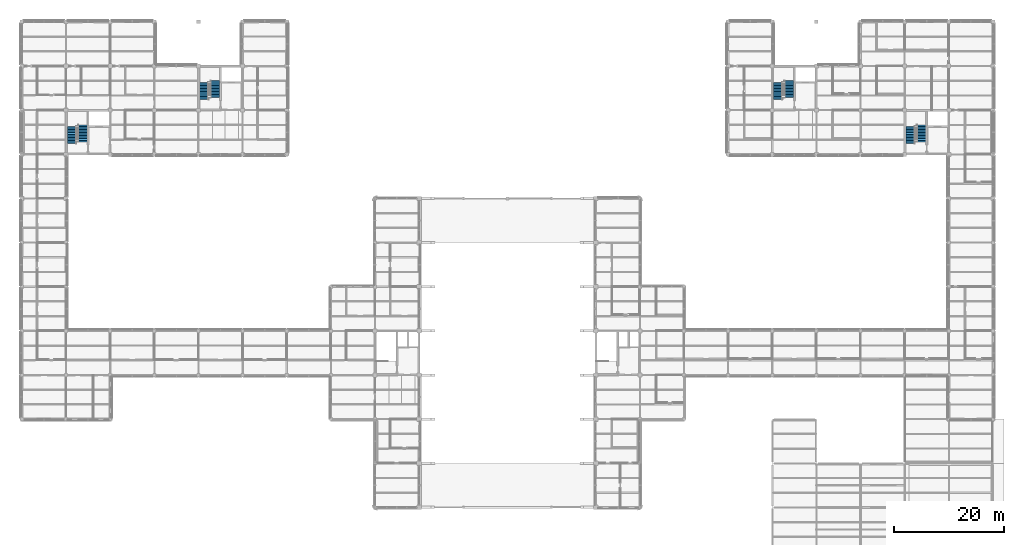
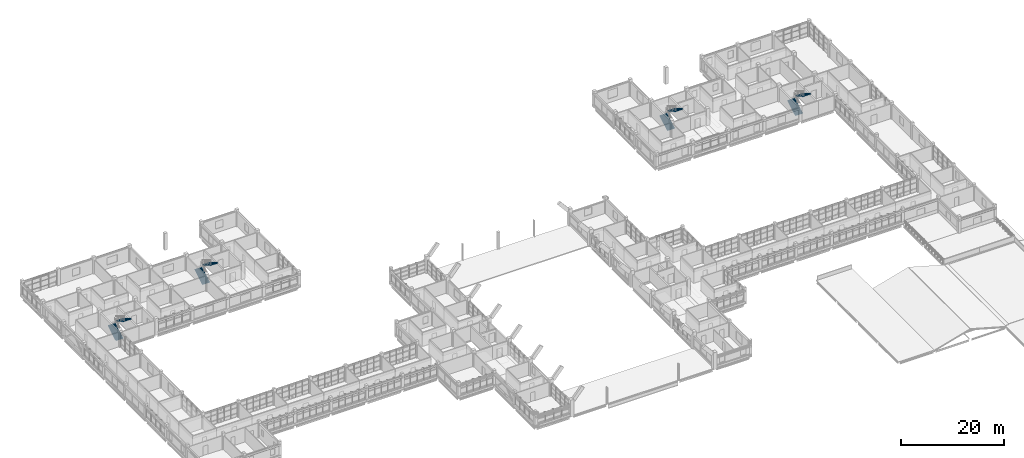
# One storey, part 76 of 92: 8 stair flights, 4 elements without a shape of their own.
"""IFC4 building model written with IfcOpenShell, lengths in metres."""

from ifc_helpers import new_model, si_unit, derived_unit, direction, frame, origin, place, context, subcontext, project, spatial, polyline, outline, extrude, material, type_object, element, aggregate, save


model = new_model("IFC4")

# Units and contexts
model_context = context("Model", 3, precision=1e-05, world=origin(), true_north=direction((0.0, 1.0)))
body_context = subcontext(model_context, "Body", "Model", "MODEL_VIEW")
ifc_project = project(units=[si_unit("LENGTHUNIT", "METRE"), si_unit("AREAUNIT", "SQUARE_METRE"), si_unit("VOLUMEUNIT", "CUBIC_METRE"), si_unit("PLANEANGLEUNIT", "RADIAN"), si_unit("MASSUNIT", "GRAM", prefix="KILO"), derived_unit("THERMALTRANSMITTANCEUNIT", [(si_unit("MASSUNIT", "GRAM", prefix="KILO"), 1), (si_unit("TIMEUNIT", "SECOND"), -3), (si_unit("THERMODYNAMICTEMPERATUREUNIT", "KELVIN"), -1)])], contexts=[model_context])

# Site, building, storey
site_placement = place(None, origin())
site = spatial("IfcSite", under=ifc_project, at=site_placement, CompositionType="ELEMENT")
building_placement = place(site_placement, origin())
building = spatial("IfcBuilding", under=site, at=building_placement, Name="Veyamyaing Civic Hall", CompositionType="ELEMENT")
storey_placement = place(building_placement, frame((0.0, 0.0, 17.820068359375)))
storey = spatial("IfcBuildingStorey", under=building, at=storey_placement, Name="L04", CompositionType="ELEMENT", Elevation=17.820068359375)

# Stair, stair flights
ifc_material = material(Name="Concrete C40/50", Category="concrete")
stair_type = type_object("IfcStairType", Name="ST-D", PredefinedType="HALF_TURN_STAIR", material=ifc_material)
stair_1_placement = place(storey_placement, origin())
stair_1 = element("IfcStair", 1, at=stair_1_placement, inside=storey, type_object=stair_type, Name="Protected exit stair ST-01 L04", PredefinedType="HALF_TURN_STAIR")
stair_flight_type = type_object("IfcStairFlightType", Name="SF-12", PredefinedType="STRAIGHT", material=ifc_material)
stair_flight_1_placement = place(storey_placement, frame((9.0400390625, 89.949951171875, 0.0), z_axis=(0.0, 0.0, 1.0), x_axis=(0.0, 1.0, 0.0)))
stair_flight_1 = element("IfcStairFlight", 2, at=stair_flight_1_placement, type_object=stair_flight_type, Name="ST-01 flight 1", NumberOfRisers=12, NumberOfTreads=11, PredefinedType="STRAIGHT", RiserHeight=0.165, TreadLength=0.28, context=body_context, shape_type="SweptSolid", body=[
    extrude(outline(polyline([(0.0, 0.0), (0.0, 0.1650390625), (0.280029296875, 0.1650390625), (0.280029296875, 0.330078125), (0.56005859375, 0.330078125), (0.56005859375, 0.4951171875), (0.840087890625, 0.4951171875), (0.840087890625, 0.659912109375), (1.1201171875, 0.659912109375), (1.1201171875, 0.824951171875), (1.39990234375, 0.824951171875), (1.39990234375, 0.989990234375), (1.679931640625, 0.989990234375), (1.679931640625, 1.155029296875), (1.9599609375, 1.155029296875), (1.9599609375, 1.320068359375), (2.239990234375, 1.320068359375), (2.239990234375, 1.485107421875), (2.52001953125, 1.485107421875), (2.52001953125, 1.64990234375), (2.800048828125, 1.64990234375), (2.800048828125, 1.81494140625), (3.080078125, 1.81494140625), (3.080078125, 1.97998046875), (3.080078125, 1.64111328125), (0.295166015625, 0.0), (0.0, 0.0)])), frame((0.0, 0.81982421875, 0.0), z_axis=(0.0, -1.0, 0.0), x_axis=(1.0, 0.0, 0.0)), (0.0, 0.0, 1.0), 1.639892578125),
])
stair_flight_2_placement = place(storey_placement, frame((11.030029296875, 93.35009765625, 1.97998046875), z_axis=(0.0, 0.0, 1.0), x_axis=(0.0, -1.0, 0.0)))
stair_flight_2 = element("IfcStairFlight", 3, at=stair_flight_2_placement, type_object=stair_flight_type, Name="ST-01 flight 2", NumberOfRisers=12, NumberOfTreads=11, PredefinedType="STRAIGHT", RiserHeight=0.165, TreadLength=0.28, context=body_context, shape_type="SweptSolid", body=[
    extrude(outline(polyline([(0.0, 0.0), (0.0, 0.1650390625), (0.280029296875, 0.1650390625), (0.280029296875, 0.330078125), (0.56005859375, 0.330078125), (0.56005859375, 0.4951171875), (0.840087890625, 0.4951171875), (0.840087890625, 0.659912109375), (1.1201171875, 0.659912109375), (1.1201171875, 0.824951171875), (1.39990234375, 0.824951171875), (1.39990234375, 0.989990234375), (1.679931640625, 0.989990234375), (1.679931640625, 1.155029296875), (1.9599609375, 1.155029296875), (1.9599609375, 1.320068359375), (2.239990234375, 1.320068359375), (2.239990234375, 1.485107421875), (2.52001953125, 1.485107421875), (2.52001953125, 1.64990234375), (2.800048828125, 1.64990234375), (2.800048828125, 1.81494140625), (3.080078125, 1.81494140625), (3.080078125, 1.97998046875), (3.080078125, 1.64111328125), (0.295166015625, 0.0), (0.0, 0.0)])), frame((0.0, 0.81982421875, 0.0), z_axis=(0.0, -1.0, 0.0), x_axis=(1.0, 0.0, 0.0)), (0.0, 0.0, 1.0), 1.639892578125),
])
aggregate(stair_1, [stair_flight_1, stair_flight_2])

stair_2_placement = place(storey_placement, origin())
stair_2 = element("IfcStair", 4, at=stair_2_placement, inside=storey, type_object=stair_type, Name="Protected exit stair ST-02 L04", PredefinedType="HALF_TURN_STAIR")
stair_flight_3_placement = place(storey_placement, frame((33.0400390625, 97.949951171875, 0.0), z_axis=(0.0, 0.0, 1.0), x_axis=(0.0, 1.0, 0.0)))
stair_flight_3 = element("IfcStairFlight", 5, at=stair_flight_3_placement, type_object=stair_flight_type, Name="ST-02 flight 1", NumberOfRisers=12, NumberOfTreads=11, PredefinedType="STRAIGHT", RiserHeight=0.165, TreadLength=0.28, context=body_context, shape_type="SweptSolid", body=[
    extrude(outline(polyline([(0.0, 0.0), (0.0, 0.1650390625), (0.280029296875, 0.1650390625), (0.280029296875, 0.330078125), (0.56005859375, 0.330078125), (0.56005859375, 0.4951171875), (0.840087890625, 0.4951171875), (0.840087890625, 0.659912109375), (1.1201171875, 0.659912109375), (1.1201171875, 0.824951171875), (1.39990234375, 0.824951171875), (1.39990234375, 0.989990234375), (1.679931640625, 0.989990234375), (1.679931640625, 1.155029296875), (1.9599609375, 1.155029296875), (1.9599609375, 1.320068359375), (2.239990234375, 1.320068359375), (2.239990234375, 1.485107421875), (2.52001953125, 1.485107421875), (2.52001953125, 1.64990234375), (2.800048828125, 1.64990234375), (2.800048828125, 1.81494140625), (3.080078125, 1.81494140625), (3.080078125, 1.97998046875), (3.080078125, 1.64111328125), (0.295166015625, 0.0), (0.0, 0.0)])), frame((0.0, 0.81982421875, 0.0), z_axis=(0.0, -1.0, 0.0), x_axis=(1.0, 0.0, 0.0)), (0.0, 0.0, 1.0), 1.639892578125),
])
stair_flight_4_placement = place(storey_placement, frame((35.030029296875, 101.35009765625, 1.97998046875), z_axis=(0.0, 0.0, 1.0), x_axis=(0.0, -1.0, 0.0)))
stair_flight_4 = element("IfcStairFlight", 6, at=stair_flight_4_placement, type_object=stair_flight_type, Name="ST-02 flight 2", NumberOfRisers=12, NumberOfTreads=11, PredefinedType="STRAIGHT", RiserHeight=0.165, TreadLength=0.28, context=body_context, shape_type="SweptSolid", body=[
    extrude(outline(polyline([(0.0, 0.0), (0.0, 0.1650390625), (0.280029296875, 0.1650390625), (0.280029296875, 0.330078125), (0.56005859375, 0.330078125), (0.56005859375, 0.4951171875), (0.840087890625, 0.4951171875), (0.840087890625, 0.659912109375), (1.1201171875, 0.659912109375), (1.1201171875, 0.824951171875), (1.39990234375, 0.824951171875), (1.39990234375, 0.989990234375), (1.679931640625, 0.989990234375), (1.679931640625, 1.155029296875), (1.9599609375, 1.155029296875), (1.9599609375, 1.320068359375), (2.239990234375, 1.320068359375), (2.239990234375, 1.485107421875), (2.52001953125, 1.485107421875), (2.52001953125, 1.64990234375), (2.800048828125, 1.64990234375), (2.800048828125, 1.81494140625), (3.080078125, 1.81494140625), (3.080078125, 1.97998046875), (3.080078125, 1.64111328125), (0.295166015625, 0.0), (0.0, 0.0)])), frame((0.0, 0.81982421875, 0.0), z_axis=(0.0, -1.0, 0.0), x_axis=(1.0, 0.0, 0.0)), (0.0, 0.0, 1.0), 1.639892578125),
])
aggregate(stair_2, [stair_flight_3, stair_flight_4])

stair_3_placement = place(storey_placement, origin())
stair_3 = element("IfcStair", 7, at=stair_3_placement, inside=storey, type_object=stair_type, Name="Protected exit stair ST-03 L04", PredefinedType="HALF_TURN_STAIR")
stair_flight_5_placement = place(storey_placement, frame((161.0400390625, 89.949951171875, 0.0), z_axis=(0.0, 0.0, 1.0), x_axis=(0.0, 1.0, 0.0)))
stair_flight_5 = element("IfcStairFlight", 8, at=stair_flight_5_placement, type_object=stair_flight_type, Name="ST-03 flight 1", NumberOfRisers=12, NumberOfTreads=11, PredefinedType="STRAIGHT", RiserHeight=0.165, TreadLength=0.28, context=body_context, shape_type="SweptSolid", body=[
    extrude(outline(polyline([(0.0, 0.0), (0.0, 0.1650390625), (0.280029296875, 0.1650390625), (0.280029296875, 0.330078125), (0.56005859375, 0.330078125), (0.56005859375, 0.4951171875), (0.840087890625, 0.4951171875), (0.840087890625, 0.659912109375), (1.1201171875, 0.659912109375), (1.1201171875, 0.824951171875), (1.39990234375, 0.824951171875), (1.39990234375, 0.989990234375), (1.679931640625, 0.989990234375), (1.679931640625, 1.155029296875), (1.9599609375, 1.155029296875), (1.9599609375, 1.320068359375), (2.239990234375, 1.320068359375), (2.239990234375, 1.485107421875), (2.52001953125, 1.485107421875), (2.52001953125, 1.64990234375), (2.800048828125, 1.64990234375), (2.800048828125, 1.81494140625), (3.080078125, 1.81494140625), (3.080078125, 1.97998046875), (3.080078125, 1.64111328125), (0.295166015625, 0.0), (0.0, 0.0)])), frame((0.0, 0.81982421875, 0.0), z_axis=(0.0, -1.0, 0.0), x_axis=(1.0, 0.0, 0.0)), (0.0, 0.0, 1.0), 1.639892578125),
])
stair_flight_6_placement = place(storey_placement, frame((163.030029296875, 93.35009765625, 1.97998046875), z_axis=(0.0, 0.0, 1.0), x_axis=(0.0, -1.0, 0.0)))
stair_flight_6 = element("IfcStairFlight", 9, at=stair_flight_6_placement, type_object=stair_flight_type, Name="ST-03 flight 2", NumberOfRisers=12, NumberOfTreads=11, PredefinedType="STRAIGHT", RiserHeight=0.165, TreadLength=0.28, context=body_context, shape_type="SweptSolid", body=[
    extrude(outline(polyline([(0.0, 0.0), (0.0, 0.1650390625), (0.280029296875, 0.1650390625), (0.280029296875, 0.330078125), (0.56005859375, 0.330078125), (0.56005859375, 0.4951171875), (0.840087890625, 0.4951171875), (0.840087890625, 0.659912109375), (1.1201171875, 0.659912109375), (1.1201171875, 0.824951171875), (1.39990234375, 0.824951171875), (1.39990234375, 0.989990234375), (1.679931640625, 0.989990234375), (1.679931640625, 1.155029296875), (1.9599609375, 1.155029296875), (1.9599609375, 1.320068359375), (2.239990234375, 1.320068359375), (2.239990234375, 1.485107421875), (2.52001953125, 1.485107421875), (2.52001953125, 1.64990234375), (2.800048828125, 1.64990234375), (2.800048828125, 1.81494140625), (3.080078125, 1.81494140625), (3.080078125, 1.97998046875), (3.080078125, 1.64111328125), (0.295166015625, 0.0), (0.0, 0.0)])), frame((0.0, 0.81982421875, 0.0), z_axis=(0.0, -1.0, 0.0), x_axis=(1.0, 0.0, 0.0)), (0.0, 0.0, 1.0), 1.639892578125),
])
aggregate(stair_3, [stair_flight_5, stair_flight_6])

stair_4_placement = place(storey_placement, origin())
stair_4 = element("IfcStair", 10, at=stair_4_placement, inside=storey, type_object=stair_type, Name="Protected exit stair ST-04 L04", PredefinedType="HALF_TURN_STAIR")
stair_flight_7_placement = place(storey_placement, frame((137.0400390625, 97.949951171875, 0.0), z_axis=(0.0, 0.0, 1.0), x_axis=(0.0, 1.0, 0.0)))
stair_flight_7 = element("IfcStairFlight", 11, at=stair_flight_7_placement, type_object=stair_flight_type, Name="ST-04 flight 1", NumberOfRisers=12, NumberOfTreads=11, PredefinedType="STRAIGHT", RiserHeight=0.165, TreadLength=0.28, context=body_context, shape_type="SweptSolid", body=[
    extrude(outline(polyline([(0.0, 0.0), (0.0, 0.1650390625), (0.280029296875, 0.1650390625), (0.280029296875, 0.330078125), (0.56005859375, 0.330078125), (0.56005859375, 0.4951171875), (0.840087890625, 0.4951171875), (0.840087890625, 0.659912109375), (1.1201171875, 0.659912109375), (1.1201171875, 0.824951171875), (1.39990234375, 0.824951171875), (1.39990234375, 0.989990234375), (1.679931640625, 0.989990234375), (1.679931640625, 1.155029296875), (1.9599609375, 1.155029296875), (1.9599609375, 1.320068359375), (2.239990234375, 1.320068359375), (2.239990234375, 1.485107421875), (2.52001953125, 1.485107421875), (2.52001953125, 1.64990234375), (2.800048828125, 1.64990234375), (2.800048828125, 1.81494140625), (3.080078125, 1.81494140625), (3.080078125, 1.97998046875), (3.080078125, 1.64111328125), (0.295166015625, 0.0), (0.0, 0.0)])), frame((0.0, 0.81982421875, 0.0), z_axis=(0.0, -1.0, 0.0), x_axis=(1.0, 0.0, 0.0)), (0.0, 0.0, 1.0), 1.639892578125),
])
stair_flight_8_placement = place(storey_placement, frame((139.030029296875, 101.35009765625, 1.97998046875), z_axis=(0.0, 0.0, 1.0), x_axis=(0.0, -1.0, 0.0)))
stair_flight_8 = element("IfcStairFlight", 12, at=stair_flight_8_placement, type_object=stair_flight_type, Name="ST-04 flight 2", NumberOfRisers=12, NumberOfTreads=11, PredefinedType="STRAIGHT", RiserHeight=0.165, TreadLength=0.28, context=body_context, shape_type="SweptSolid", body=[
    extrude(outline(polyline([(0.0, 0.0), (0.0, 0.1650390625), (0.280029296875, 0.1650390625), (0.280029296875, 0.330078125), (0.56005859375, 0.330078125), (0.56005859375, 0.4951171875), (0.840087890625, 0.4951171875), (0.840087890625, 0.659912109375), (1.1201171875, 0.659912109375), (1.1201171875, 0.824951171875), (1.39990234375, 0.824951171875), (1.39990234375, 0.989990234375), (1.679931640625, 0.989990234375), (1.679931640625, 1.155029296875), (1.9599609375, 1.155029296875), (1.9599609375, 1.320068359375), (2.239990234375, 1.320068359375), (2.239990234375, 1.485107421875), (2.52001953125, 1.485107421875), (2.52001953125, 1.64990234375), (2.800048828125, 1.64990234375), (2.800048828125, 1.81494140625), (3.080078125, 1.81494140625), (3.080078125, 1.97998046875), (3.080078125, 1.64111328125), (0.295166015625, 0.0), (0.0, 0.0)])), frame((0.0, 0.81982421875, 0.0), z_axis=(0.0, -1.0, 0.0), x_axis=(1.0, 0.0, 0.0)), (0.0, 0.0, 1.0), 1.639892578125),
])
aggregate(stair_4, [stair_flight_7, stair_flight_8])

save(model, "model.ifc")
